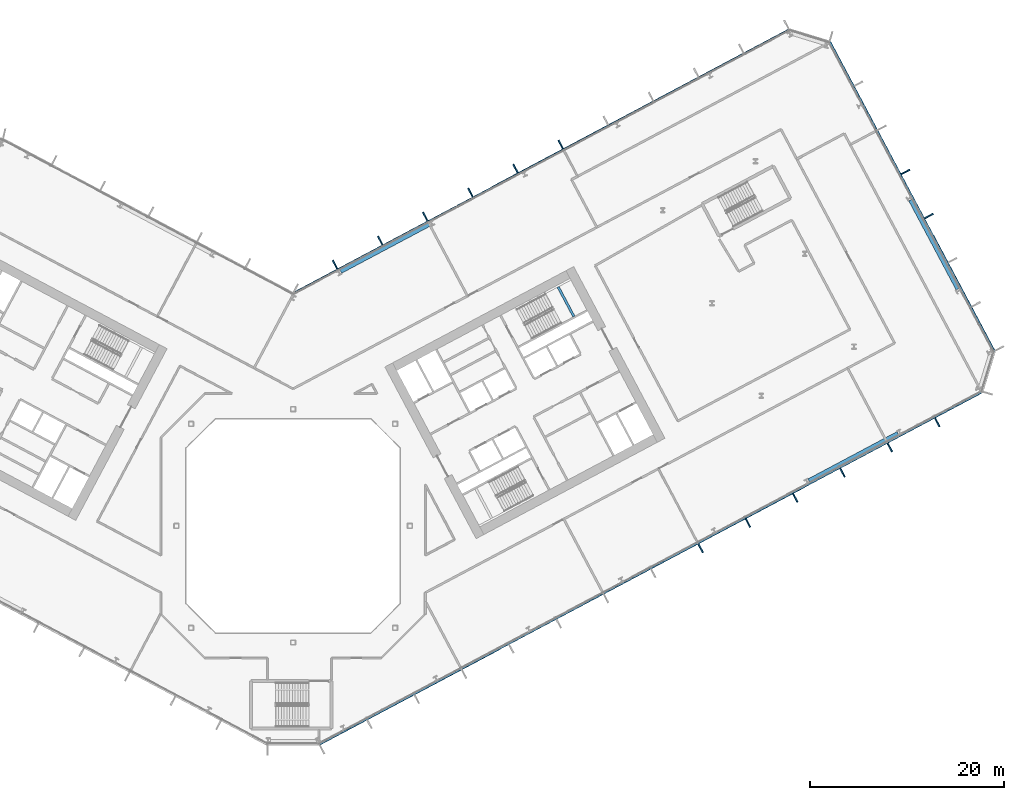
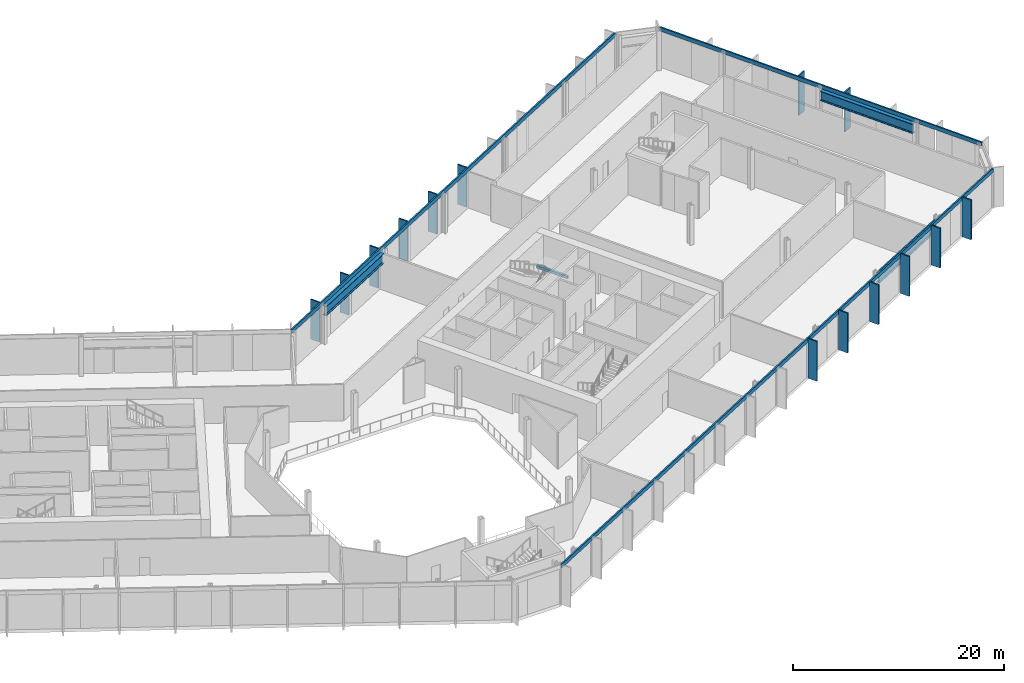
# One storey, part 8 of 30: 17 members, 4 beams, 3 elements without a shape of their own.
"""IFC4 building model written with IfcOpenShell, lengths in metres."""

from ifc_helpers import new_model, si_unit, direction, frame, origin, origin_2d, place, context, subcontext, project, spatial, rectangle, i_section, extrude, material, layer, layer_set, material_profile, profile_set, type_object, element, aggregate, save


model = new_model("IFC4")

# Units and contexts
model_context = context("Model", 3, precision=1e-05, world=origin(), true_north=direction((0.0, 1.0)))
body_context = subcontext(model_context, "Body", "Model", "MODEL_VIEW")
ifc_project = project(units=[si_unit("LENGTHUNIT", "METRE"), si_unit("AREAUNIT", "SQUARE_METRE"), si_unit("VOLUMEUNIT", "CUBIC_METRE"), si_unit("PLANEANGLEUNIT", "RADIAN"), si_unit("MASSUNIT", "GRAM", prefix="KILO")], contexts=[model_context])

# Site, building, storey
site_placement = place(None, origin())
site = spatial("IfcSite", under=ifc_project, at=site_placement, CompositionType="ELEMENT")
building_placement = place(site_placement, origin())
building = spatial("IfcBuilding", under=site, at=building_placement, Name="Cormorant Relay Tower", CompositionType="ELEMENT")
storey_placement = place(building_placement, frame((0.0, 0.0, 80.0)))
storey = spatial("IfcBuildingStorey", under=building, at=storey_placement, Name="L15", CompositionType="ELEMENT", Elevation=80.0)

# Curtain wall, members
ifc_material_1 = material(Name="Aluminium 6063-T6 anodised bronze", Category="aluminium")
ifc_layer = layer(ifc_material_1, 0.199951171875)
ifc_layer_set = layer_set([ifc_layer], Name="CW1 unitised bronze curtain wall with vertical fins")
curtain_wall_type = type_object("IfcCurtainWallType", Name="CW1 unitised bronze curtain wall with vertical fins", PredefinedType="NOTDEFINED", material=ifc_layer_set)
curtain_wall_1_placement = place(storey_placement, origin())
curtain_wall_1 = element("IfcCurtainWall", 1, at=curtain_wall_1_placement, inside=storey, type_object=curtain_wall_type, Name="CW1 curtain wall 2", PredefinedType="NOTDEFINED")
ifc_material_2 = material(Name="Aluminium 6063-T6 anodised bronze", Category="aluminium")
ifc_material_profile_1 = material_profile(ifc_material_2, rectangle(XDim=0.14990234375, YDim=1.0, at=origin_2d()), Name="AL 150x1000")
ifc_profile_set_1 = profile_set([ifc_material_profile_1], Name="Aluminium 6063-T6 anodised bronze")
member_type_1 = type_object("IfcMemberType", Name="CW1 bronze fin mullion 150 x 1000", PredefinedType="MULLION", material=ifc_profile_set_1)
member_1_placement = place(storey_placement, frame((41.910888671875, -2.29248046875, 0.0), z_axis=(0.0, 0.0, 1.0), x_axis=(0.882947592859, 0.469471562786, 0.0)))
member_1 = element("IfcMember", 2, at=member_1_placement, type_object=member_type_1, Name="CW1 fin 2.9", PredefinedType="MULLION", context=body_context, shape_type="SweptSolid", body=[
    extrude(rectangle(XDim=0.14990234375, YDim=1.0, at=origin_2d()), origin(), (0.0, 0.0, 1.0), 4.60009765625),
])
member_2_placement = place(storey_placement, frame((46.777587890625, 0.29541015625, 0.0), z_axis=(0.0, 0.0, 1.0), x_axis=(0.882947592859, 0.469471562786, 0.0)))
member_2 = element("IfcMember", 3, at=member_2_placement, type_object=member_type_1, Name="CW1 fin 2.10", PredefinedType="MULLION", context=body_context, shape_type="SweptSolid", body=[
    extrude(rectangle(XDim=0.14990234375, YDim=1.0, at=origin_2d()), origin(), (0.0, 0.0, 1.0), 4.60009765625),
])
member_3_placement = place(storey_placement, frame((51.644287109375, 2.8828125, 0.0), z_axis=(0.0, 0.0, 1.0), x_axis=(0.882947592859, 0.469471562786, 0.0)))
member_3 = element("IfcMember", 4, at=member_3_placement, type_object=member_type_1, Name="CW1 fin 2.11", PredefinedType="MULLION", context=body_context, shape_type="SweptSolid", body=[
    extrude(rectangle(XDim=0.14990234375, YDim=1.0, at=origin_2d()), origin(), (0.0, 0.0, 1.0), 4.60009765625),
])
member_4_placement = place(storey_placement, frame((56.510986328125, 5.470703125, 0.0), z_axis=(0.0, 0.0, 1.0), x_axis=(0.882947592859, 0.469471562786, 0.0)))
member_4 = element("IfcMember", 5, at=member_4_placement, type_object=member_type_1, Name="CW1 fin 2.12", PredefinedType="MULLION", context=body_context, shape_type="SweptSolid", body=[
    extrude(rectangle(XDim=0.14990234375, YDim=1.0, at=origin_2d()), origin(), (0.0, 0.0, 1.0), 4.60009765625),
])
member_5_placement = place(storey_placement, frame((61.377685546875, 8.058349609375, 0.0), z_axis=(0.0, 0.0, 1.0), x_axis=(0.882947592859, 0.469471562786, 0.0)))
member_5 = element("IfcMember", 6, at=member_5_placement, type_object=member_type_1, Name="CW1 fin 2.13", PredefinedType="MULLION", context=body_context, shape_type="SweptSolid", body=[
    extrude(rectangle(XDim=0.14990234375, YDim=1.0, at=origin_2d()), origin(), (0.0, 0.0, 1.0), 4.60009765625),
])
member_6_placement = place(storey_placement, frame((66.244140625, 10.64599609375, 0.0), z_axis=(0.0, 0.0, 1.0), x_axis=(0.882947592859, 0.469471562786, 0.0)))
member_6 = element("IfcMember", 7, at=member_6_placement, type_object=member_type_1, Name="CW1 fin 2.14", PredefinedType="MULLION", context=body_context, shape_type="SweptSolid", body=[
    extrude(rectangle(XDim=0.14990234375, YDim=1.0, at=origin_2d()), origin(), (0.0, 0.0, 1.0), 4.60009765625),
])

curtain_wall_2_placement = place(storey_placement, origin())
curtain_wall_2 = element("IfcCurtainWall", 8, at=curtain_wall_2_placement, inside=storey, type_object=curtain_wall_type, Name="CW1 curtain wall 4", PredefinedType="NOTDEFINED")
member_7_placement = place(storey_placement, frame((65.3974609375, 31.860107421875, 0.0), z_axis=(0.0, 0.0, 1.0), x_axis=(-0.469471562786, 0.882947592859, 0.0)))
member_7 = element("IfcMember", 9, at=member_7_placement, type_object=member_type_1, Name="CW1 fin 4.4", PredefinedType="MULLION", context=body_context, shape_type="SweptSolid", body=[
    extrude(rectangle(XDim=0.14990234375, YDim=1.0, at=origin_2d()), origin(), (0.0, 0.0, 1.0), 4.60009765625),
])
member_8_placement = place(storey_placement, frame((62.983154296875, 36.40087890625, 0.0), z_axis=(0.0, 0.0, 1.0), x_axis=(-0.469471562786, 0.882947592859, 0.0)))
member_8 = element("IfcMember", 10, at=member_8_placement, type_object=member_type_1, Name="CW1 fin 4.5", PredefinedType="MULLION", context=body_context, shape_type="SweptSolid", body=[
    extrude(rectangle(XDim=0.14990234375, YDim=1.0, at=origin_2d()), origin(), (0.0, 0.0, 1.0), 4.60009765625),
])

curtain_wall_3_placement = place(storey_placement, origin())
curtain_wall_3 = element("IfcCurtainWall", 11, at=curtain_wall_3_placement, inside=storey, type_object=curtain_wall_type, Name="CW1 curtain wall 6", PredefinedType="NOTDEFINED")
member_9_placement = place(storey_placement, frame((27.524658203125, 39.2119140625, 0.0), z_axis=(0.0, 0.0, 1.0), x_axis=(-0.882947592859, -0.469471562786, 0.0)))
member_9 = element("IfcMember", 12, at=member_9_placement, type_object=member_type_1, Name="CW1 fin 6.6", PredefinedType="MULLION", context=body_context, shape_type="SweptSolid", body=[
    extrude(rectangle(XDim=0.14990234375, YDim=1.0, at=origin_2d()), origin(), (0.0, 0.0, 1.0), 4.60009765625),
])
member_10_placement = place(storey_placement, frame((22.882568359375, 36.74365234375, 0.0), z_axis=(0.0, 0.0, 1.0), x_axis=(-0.882947592859, -0.469471562786, 0.0)))
member_10 = element("IfcMember", 13, at=member_10_placement, type_object=member_type_1, Name="CW1 fin 6.7", PredefinedType="MULLION", context=body_context, shape_type="SweptSolid", body=[
    extrude(rectangle(XDim=0.14990234375, YDim=1.0, at=origin_2d()), origin(), (0.0, 0.0, 1.0), 4.60009765625),
])
member_11_placement = place(storey_placement, frame((18.240234375, 34.275390625, 0.0), z_axis=(0.0, 0.0, 1.0), x_axis=(-0.882947592859, -0.469471562786, 0.0)))
member_11 = element("IfcMember", 14, at=member_11_placement, type_object=member_type_1, Name="CW1 fin 6.8", PredefinedType="MULLION", context=body_context, shape_type="SweptSolid", body=[
    extrude(rectangle(XDim=0.14990234375, YDim=1.0, at=origin_2d()), origin(), (0.0, 0.0, 1.0), 4.60009765625),
])
member_12_placement = place(storey_placement, frame((13.597900390625, 31.806884765625, 0.0), z_axis=(0.0, 0.0, 1.0), x_axis=(-0.882947592859, -0.469471562786, 0.0)))
member_12 = element("IfcMember", 15, at=member_12_placement, type_object=member_type_1, Name="CW1 fin 6.9", PredefinedType="MULLION", context=body_context, shape_type="SweptSolid", body=[
    extrude(rectangle(XDim=0.14990234375, YDim=1.0, at=origin_2d()), origin(), (0.0, 0.0, 1.0), 4.60009765625),
])
member_13_placement = place(storey_placement, frame((8.955810546875, 29.338623046875, 0.0), z_axis=(0.0, 0.0, 1.0), x_axis=(-0.882947592859, -0.469471562786, 0.0)))
member_13 = element("IfcMember", 16, at=member_13_placement, type_object=member_type_1, Name="CW1 fin 6.10", PredefinedType="MULLION", context=body_context, shape_type="SweptSolid", body=[
    extrude(rectangle(XDim=0.14990234375, YDim=1.0, at=origin_2d()), origin(), (0.0, 0.0, 1.0), 4.60009765625),
])
member_14_placement = place(storey_placement, frame((4.313720703125, 26.870361328125, 0.0), z_axis=(0.0, 0.0, 1.0), x_axis=(-0.882947592859, -0.469471562786, 0.0)))
member_14 = element("IfcMember", 17, at=member_14_placement, type_object=member_type_1, Name="CW1 fin 6.11", PredefinedType="MULLION", context=body_context, shape_type="SweptSolid", body=[
    extrude(rectangle(XDim=0.14990234375, YDim=1.0, at=origin_2d()), origin(), (0.0, 0.0, 1.0), 4.60009765625),
])

# Member
ifc_material_3 = material(Name="Aluminium 6063-T6 anodised bronze", Category="aluminium")
ifc_material_profile_2 = material_profile(ifc_material_3, rectangle(XDim=0.159912109375, YDim=0.449951171875, at=origin_2d()), Name="AL 160x450")
ifc_profile_set_2 = profile_set([ifc_material_profile_2], Name="Aluminium 6063-T6 anodised bronze")
member_type_2 = type_object("IfcMemberType", Name="CW1 bronze transom 160 x 450", PredefinedType="USERDEFINED", material=ifc_profile_set_2)
member_15_placement = place(storey_placement, frame((2.705078125, -22.4814453125, 4.375), z_axis=(0.882948654677, 0.46946956579, 0.0), x_axis=(-0.46946956579, 0.882948654677, 0.0)))
member_15 = element("IfcMember", 18, at=member_15_placement, type_object=member_type_2, Name="CW1 transom 2", ObjectType="TRANSOM", PredefinedType="USERDEFINED", context=body_context, shape_type="SweptSolid", body=[
    extrude(rectangle(XDim=0.159912109375, YDim=0.449951171875, at=origin_2d()), origin(), (0.0, 0.0, 1.0), 77.166015625),
])

aggregate(curtain_wall_1, [member_1, member_2, member_3, member_4, member_5, member_6, member_15])

member_16_placement = place(storey_placement, frame((72.128662109375, 17.965087890625, 4.375), z_axis=(-0.469469230355, 0.88294883303, 0.0), x_axis=(-0.88294883303, -0.469469230355, 0.0)))
member_16 = element("IfcMember", 19, at=member_16_placement, type_object=member_type_2, Name="CW1 transom 4", ObjectType="TRANSOM", PredefinedType="USERDEFINED", context=body_context, shape_type="SweptSolid", body=[
    extrude(rectangle(XDim=0.159912109375, YDim=0.449951171875, at=origin_2d()), origin(), (0.0, 0.0, 1.0), 36.0),
])

aggregate(curtain_wall_2, [member_7, member_8, member_16])

member_17_placement = place(storey_placement, frame((51.008056640625, 51.04150390625, 4.375), z_axis=(-0.882946446228, -0.469473719279, 0.0), x_axis=(0.469473719279, -0.882946446228, 0.0)))
member_17 = element("IfcMember", 20, at=member_17_placement, type_object=member_type_2, Name="CW1 transom 6", ObjectType="TRANSOM", PredefinedType="USERDEFINED", context=body_context, shape_type="SweptSolid", body=[
    extrude(rectangle(XDim=0.159912109375, YDim=0.449951171875, at=origin_2d()), origin(), (0.0, 0.0, 1.0), 57.834228515625),
])

aggregate(curtain_wall_3, [member_9, member_10, member_11, member_12, member_13, member_14, member_17])

# Beams
ifc_material_4 = material(Name="Steel ASTM A992 (Fy 345 MPa)", Category="steel")
ifc_material_profile_3 = material_profile(ifc_material_4, i_section(OverallWidth=0.40380859375, OverallDepth=1.11767578125, WebThickness=0.026123046875, FlangeThickness=0.044921875, FilletRadius=0.02001953125, at=origin_2d()), Name="W1100x499")
ifc_profile_set_3 = profile_set([ifc_material_profile_3], Name="Steel ASTM A992 (Fy 345 MPa)")
beam_type_1 = type_object("IfcBeamType", Name="Spandrel W1100x499", PredefinedType="SPANDREL", material=ifc_profile_set_3)
for number, where, z_axis, x_axis, name in (
    (21, (53.0390625, 4.64599609375, 3.64111328125), (0.882937138632, 0.469491223799, 0.0), (-0.469491223799, 0.882937138632, 0.0), "Spandrel beam L15-002"),
    (22, (68.364990234375, 24.358154296875, 3.64111328125), (-0.469491223799, 0.882937138632, 0.0), (-0.882937138632, -0.469491223799, 0.0), "Spandrel beam L15-004"),
    (23, (14.06494140625, 31.03369140625, 3.64111328125), (-0.882946891921, -0.469472881056, 0.0), (0.469472881056, -0.882946891921, 0.0), "Spandrel beam L15-006"),
):
    element("IfcBeam", number, at=place(storey_placement, frame(where, z_axis=z_axis, x_axis=x_axis)), inside=storey, type_object=beam_type_1, Name=name, PredefinedType="SPANDREL", context=body_context, shape_type="SweptSolid", body=[
        extrude(i_section(OverallWidth=0.40380859375, OverallDepth=1.11767578125, WebThickness=0.026123046875, FlangeThickness=0.044921875, FilletRadius=0.02001953125, at=origin_2d()), origin(), (0.0, 0.0, 1.0), 10.376220703125),
    ])
ifc_material_5 = material(Name="Concrete 50 MPa", Category="concrete")
ifc_material_profile_4 = material_profile(ifc_material_5, rectangle(XDim=0.25, YDim=0.300048828125, at=origin_2d()), Name="RC 250x300")
ifc_profile_set_4 = profile_set([ifc_material_profile_4], Name="Concrete 50 MPa")
beam_type_2 = type_object("IfcBeamType", Name="Stair landing ledge beam 250x300", PredefinedType="BEAM", material=ifc_profile_set_4)
beam_placement = place(storey_placement, frame((28.878662109375, 21.527587890625, 1.949951171875), z_axis=(-0.469463917486, 0.882951657895, 0.0), x_axis=(-0.882951657895, -0.469463917486, 0.0)))
element("IfcBeam", 24, at=beam_placement, inside=storey, type_object=beam_type_2, Name="B2 landing ledge beam", PredefinedType="BEAM", context=body_context, shape_type="SweptSolid", body=[
    extrude(rectangle(XDim=0.25, YDim=0.300048828125, at=origin_2d()), origin(), (0.0, 0.0, 1.0), 3.449951171875),
])

save(model, "model.ifc")
